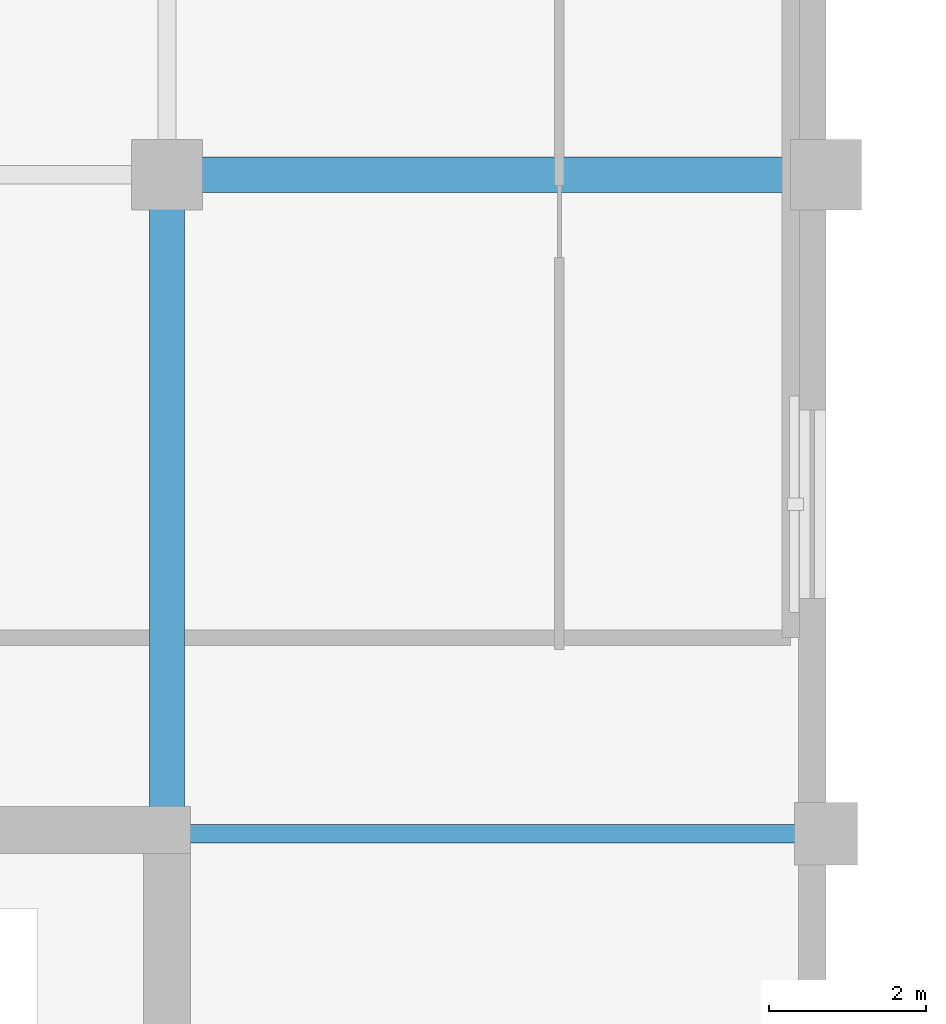
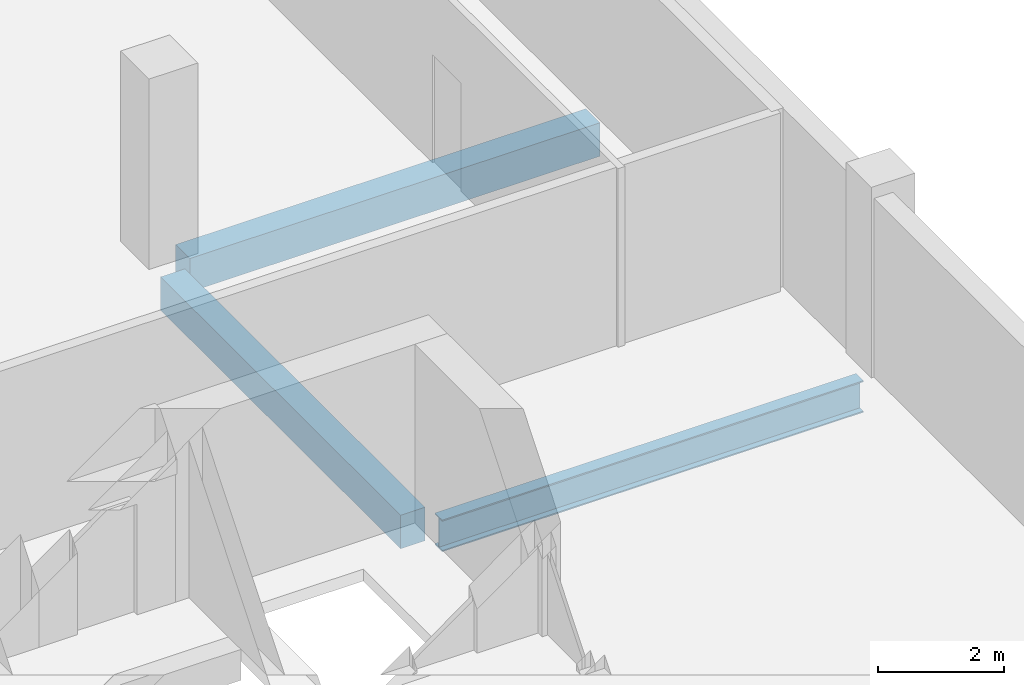
# One storey, part 2 of 16: 3 beams.
"""IFC4 building model written with IfcOpenShell, lengths in metres."""

from ifc_helpers import new_model, si_unit, direction, frame, origin, origin_2d, place, context, subcontext, project, spatial, rectangle, i_section, extrude, material, material_profile, profile_set, type_object, element, save


model = new_model("IFC4")

# Units and contexts
model_context = context("Model", 3, precision=1e-05, world=origin(), true_north=direction((0.0, 1.0)))
body_context = subcontext(model_context, "Body", "Model", "MODEL_VIEW")
ifc_project = project(units=[si_unit("LENGTHUNIT", "METRE"), si_unit("AREAUNIT", "SQUARE_METRE"), si_unit("VOLUMEUNIT", "CUBIC_METRE"), si_unit("PLANEANGLEUNIT", "RADIAN"), si_unit("MASSUNIT", "GRAM", prefix="KILO")], contexts=[model_context])

# Site, building, storey
site_placement = place(None, origin())
site = spatial("IfcSite", under=ifc_project, at=site_placement, CompositionType="ELEMENT")
building_placement = place(site_placement, origin())
building = spatial("IfcBuilding", under=site, at=building_placement, Name="Koriwani Terraces Tower", CompositionType="ELEMENT")
storey_placement = place(building_placement, frame((0.0, 0.0, 245.300048828125)))
storey = spatial("IfcBuildingStorey", under=building, at=storey_placement, Name="L60", CompositionType="ELEMENT", Elevation=245.300048828125)

# Beams
ifc_material_1 = material(Name="Concrete C50/60", Category="concrete")
ifc_material_profile_1 = material_profile(ifc_material_1, rectangle(XDim=0.449951171875, YDim=0.64990234375, at=origin_2d()), Name="Concrete C50/60", Category="LoadBearing")
ifc_profile_set_1 = profile_set([ifc_material_profile_1], Name="Concrete C50/60")
beam_type_1 = type_object("IfcBeamType", Name="BEAM_RC_GRID_450X650", PredefinedType="BEAM", material=ifc_profile_set_1)
beam_1_placement = place(storey_placement, frame((25.6298828125, 67.199951171875, -0.554931640625), z_axis=(1.0, 0.0, 0.0), x_axis=(0.0, 1.0, 0.0)))
element("IfcBeam", 1, at=beam_1_placement, inside=storey, type_object=beam_type_1, Name="L60 Grid Beam I (25.2-33.6m)", PredefinedType="BEAM", context=body_context, shape_type="SweptSolid", body=[
    extrude(rectangle(XDim=0.449951171875, YDim=0.64990234375, at=origin_2d()), origin(), (0.0, 0.0, 1.0), 7.5400390625),
])
beam_2_placement = place(storey_placement, frame((25.199951171875, 59.1298828125, -0.554931640625), z_axis=(0.0, 1.0, 0.0), x_axis=(-1.0, 0.0, 0.0)))
element("IfcBeam", 2, at=beam_2_placement, inside=storey, type_object=beam_type_1, Name="L60 Grid Beam 4 (58.8-67.2m)", PredefinedType="BEAM", context=body_context, shape_type="SweptSolid", body=[
    extrude(rectangle(XDim=0.449951171875, YDim=0.64990234375, at=origin_2d()), origin(), (0.0, 0.0, 1.0), 7.64013671875),
])
ifc_material_2 = material(Name="Steel ASTM A572 Grade 50", Category="steel")
ifc_material_profile_2 = material_profile(ifc_material_2, i_section(OverallWidth=0.23095703125, OverallDepth=0.616943359375, WebThickness=0.015380859375, FlangeThickness=0.0244140625, at=origin_2d()), Name="Steel ASTM A572 Grade 50", Category="LoadBearing")
ifc_profile_set_2 = profile_set([ifc_material_profile_2], Name="Steel ASTM A572 Grade 50")
beam_type_2 = type_object("IfcBeamType", Name="STEEL_BEAM_W610X195", PredefinedType="BEAM", material=ifc_profile_set_2)
beam_3_placement = place(storey_placement, frame((25.47998046875, 58.800048828125, -0.53857421875), z_axis=(1.0, 0.0, 0.0), x_axis=(0.0, 1.0, 0.0)))
element("IfcBeam", 3, at=beam_3_placement, inside=storey, type_object=beam_type_2, Name="L60 Grid Beam H (25.2-33.6m)", PredefinedType="BEAM", context=body_context, shape_type="SweptSolid", body=[
    extrude(i_section(OverallWidth=0.23095703125, OverallDepth=0.616943359375, WebThickness=0.015380859375, FlangeThickness=0.0244140625, at=origin_2d()), origin(), (0.0, 0.0, 1.0), 7.739990234375),
])

save(model, "model.ifc")
